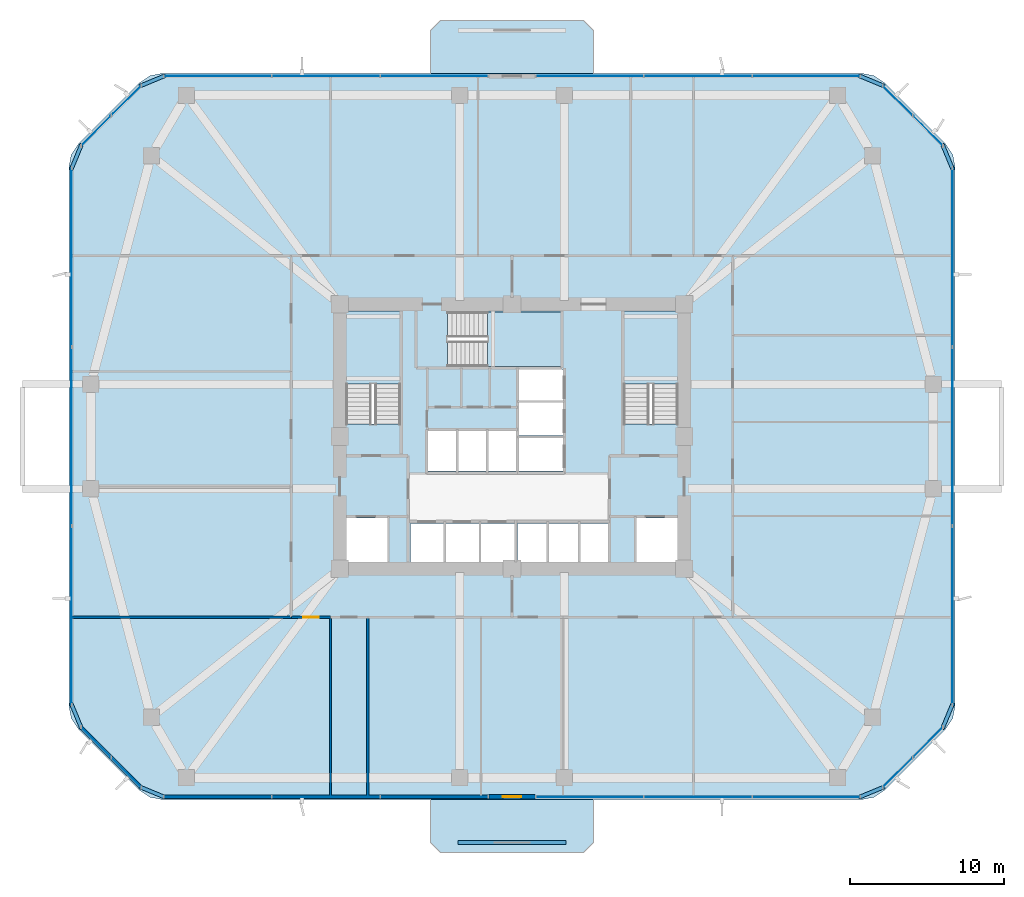
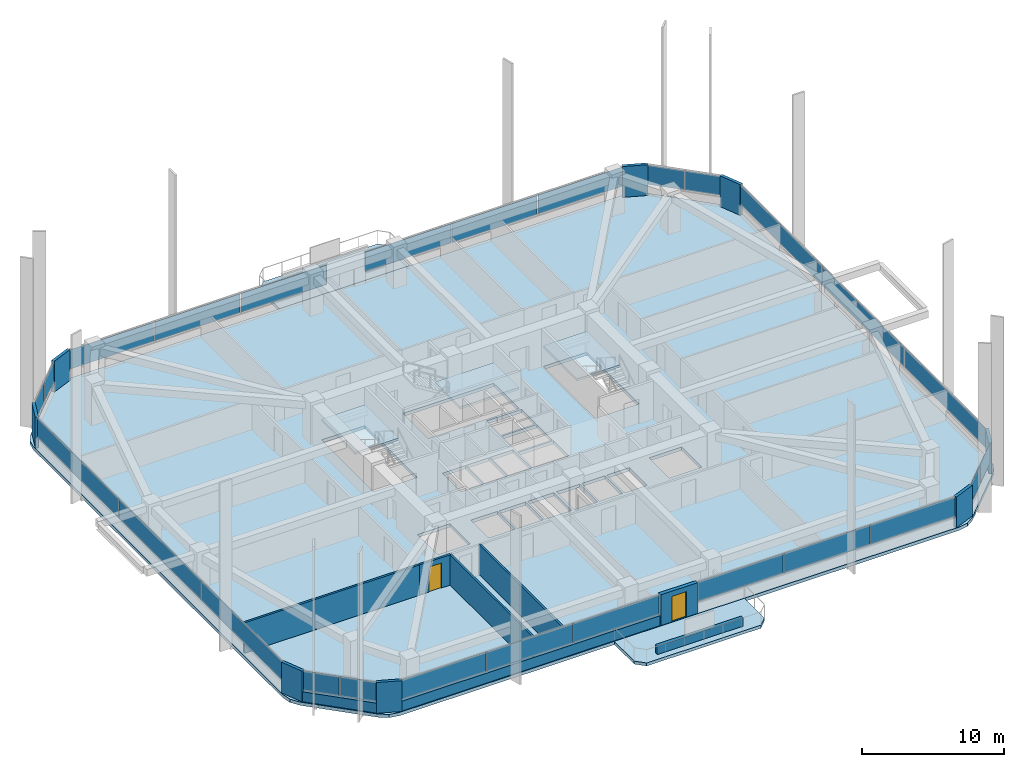
# One storey, part 8 of 17: 34 plates, 8 walls, 6 slabs, 2 doors, 2 openings, 13 elements without a shape of their own.
"""IFC4 building model written with IfcOpenShell, lengths in metres."""

from ifc_helpers import new_model, si_unit, derived_unit, direction, frame, frame_2d, origin, origin_2d, place, context, subcontext, project, spatial, polyline, rectangle, outline, extrude, material, layer, layer_set, type_object, element, fill, aggregate, save


model = new_model("IFC4")

# Units and contexts
model_context = context("Model", 3, precision=1e-05, world=origin(), true_north=direction((0.0, 1.0)))
body_context = subcontext(model_context, "Body", "Model", "MODEL_VIEW")
ifc_project = project(units=[si_unit("LENGTHUNIT", "METRE"), si_unit("AREAUNIT", "SQUARE_METRE"), si_unit("VOLUMEUNIT", "CUBIC_METRE"), si_unit("PLANEANGLEUNIT", "RADIAN"), si_unit("MASSUNIT", "GRAM", prefix="KILO"), derived_unit("THERMALTRANSMITTANCEUNIT", [(si_unit("POWERUNIT", "WATT"), 1), (si_unit("LENGTHUNIT", "METRE"), -2), (si_unit("THERMODYNAMICTEMPERATUREUNIT", "KELVIN"), -1)])], contexts=[model_context])

# Site, building, storey
site_placement = place(None, origin())
site = spatial("IfcSite", under=ifc_project, at=site_placement, CompositionType="ELEMENT")
building_placement = place(site_placement, origin())
building = spatial("IfcBuilding", under=site, at=building_placement, Name="Koralith Skygarden Medical Center", CompositionType="ELEMENT")
storey_placement = place(building_placement, frame((0.0, 0.0, 23.93994140625)))
storey = spatial("IfcBuildingStorey", under=building, at=storey_placement, Name="L05", CompositionType="ELEMENT", Elevation=23.93994140625)

# Curtain wall, plates
ifc_material_1 = material(Name="Clear Laminated Glass", Category="glass")
curtain_wall_type = type_object("IfcCurtainWallType", Name="CW-2 Zone 1 Hurricane Unitised Curtain Wall", PredefinedType="NOTDEFINED", material=ifc_material_1)
curtain_wall_1_placement = place(storey_placement, origin())
curtain_wall_1 = element("IfcCurtainWall", 1, at=curtain_wall_1_placement, inside=storey, type_object=curtain_wall_type, Name="Curtain Wall CW-L05-S-L", PredefinedType="NOTDEFINED")
ifc_layer_1 = layer(ifc_material_1, 0.031982421875)
ifc_layer_set_1 = layer_set([ifc_layer_1], Name="Clear Laminated Glass")
plate_type_1 = type_object("IfcPlateType", Name="CW-2 Hurricane Laminated IGU Panel 32", PredefinedType="CURTAIN_PANEL", material=ifc_layer_set_1)
plate_1_placement = place(storey_placement, frame((17.873046875, 2.47998046875, 0.919921875), z_axis=(0.0, 0.0, 1.0), x_axis=(1.0, 0.0, 0.0)))
plate_1 = element("IfcPlate", 2, at=plate_1_placement, type_object=plate_type_1, Name="CW-L05-S-L Glazed Panel 1", PredefinedType="CURTAIN_PANEL", context=body_context, shape_type="SweptSolid", body=[
    extrude(rectangle(XDim=6.945068359375, YDim=0.031982421875, at=origin_2d()), origin(), (0.0, 0.0, 1.0), 1.659912109375),
])
plate_2_placement = place(storey_placement, frame((24.906982421875, 2.47998046875, 0.919921875), z_axis=(0.0, 0.0, 1.0), x_axis=(1.0, 0.0, 0.0)))
plate_2 = element("IfcPlate", 3, at=plate_2_placement, type_object=plate_type_1, Name="CW-L05-S-L Glazed Panel 2", PredefinedType="CURTAIN_PANEL", context=body_context, shape_type="SweptSolid", body=[
    extrude(rectangle(XDim=6.945068359375, YDim=0.031982421875, at=origin_2d()), origin(), (0.0, 0.0, 1.0), 1.659912109375),
])
plate_3_placement = place(storey_placement, frame((31.94189453125, 2.47998046875, 0.919921875), z_axis=(0.0, 0.0, 1.0), x_axis=(1.0, 0.0, 0.0)))
plate_3 = element("IfcPlate", 4, at=plate_3_placement, type_object=plate_type_1, Name="CW-L05-S-L Glazed Panel 3", PredefinedType="CURTAIN_PANEL", context=body_context, shape_type="SweptSolid", body=[
    extrude(rectangle(XDim=6.945068359375, YDim=0.031982421875, at=origin_2d()), origin(), (0.0, 0.0, 1.0), 1.659912109375),
])
aggregate(curtain_wall_1, [plate_1, plate_2, plate_3])

curtain_wall_2_placement = place(storey_placement, origin())
curtain_wall_2 = element("IfcCurtainWall", 5, at=curtain_wall_2_placement, inside=storey, type_object=curtain_wall_type, Name="Curtain Wall CW-L05-S-R", PredefinedType="NOTDEFINED")
plate_4_placement = place(storey_placement, frame((42.056884765625, 2.47998046875, 0.919921875), z_axis=(0.0, 0.0, 1.0), x_axis=(1.0, 0.0, 0.0)))
plate_4 = element("IfcPlate", 6, at=plate_4_placement, type_object=plate_type_1, Name="CW-L05-S-R Glazed Panel 1", PredefinedType="CURTAIN_PANEL", context=body_context, shape_type="SweptSolid", body=[
    extrude(rectangle(XDim=6.945068359375, YDim=0.031982421875, at=origin_2d()), origin(), (0.0, 0.0, 1.0), 1.659912109375),
])
plate_5_placement = place(storey_placement, frame((49.093017578125, 2.47998046875, 0.919921875), z_axis=(0.0, 0.0, 1.0), x_axis=(1.0, 0.0, 0.0)))
plate_5 = element("IfcPlate", 7, at=plate_5_placement, type_object=plate_type_1, Name="CW-L05-S-R Glazed Panel 2", PredefinedType="CURTAIN_PANEL", context=body_context, shape_type="SweptSolid", body=[
    extrude(rectangle(XDim=6.945068359375, YDim=0.031982421875, at=origin_2d()), origin(), (0.0, 0.0, 1.0), 1.659912109375),
])
plate_6_placement = place(storey_placement, frame((56.126953125, 2.47998046875, 0.919921875), z_axis=(0.0, 0.0, 1.0), x_axis=(1.0, 0.0, 0.0)))
plate_6 = element("IfcPlate", 8, at=plate_6_placement, type_object=plate_type_1, Name="CW-L05-S-R Glazed Panel 3", PredefinedType="CURTAIN_PANEL", context=body_context, shape_type="SweptSolid", body=[
    extrude(rectangle(XDim=6.945068359375, YDim=0.031982421875, at=origin_2d()), origin(), (0.0, 0.0, 1.0), 1.659912109375),
])
aggregate(curtain_wall_2, [plate_4, plate_5, plate_6])

curtain_wall_3_placement = place(storey_placement, origin())
curtain_wall_3 = element("IfcCurtainWall", 9, at=curtain_wall_3_placement, inside=storey, type_object=curtain_wall_type, Name="Curtain Wall CW-L05-SE", PredefinedType="NOTDEFINED")
plate_7_placement = place(storey_placement, frame((62.076904296875, 4.06201171875, 0.919921875), z_axis=(0.0, 0.0, 1.0), x_axis=(0.707106781187, 0.707106781187, 0.0)))
plate_7 = element("IfcPlate", 10, at=plate_7_placement, type_object=plate_type_1, Name="CW-L05-SE Glazed Panel 1", PredefinedType="CURTAIN_PANEL", context=body_context, shape_type="SweptSolid", body=[
    extrude(rectangle(XDim=2.68408203125, YDim=0.031982421875, at=origin_2d()), origin(), (0.0, 0.0, 1.0), 1.659912109375),
])
plate_8_placement = place(storey_placement, frame((64.0380859375, 6.02294921875, 0.919921875), z_axis=(0.0, 0.0, 1.0), x_axis=(0.707106781187, 0.707106781187, 0.0)))
plate_8 = element("IfcPlate", 11, at=plate_8_placement, type_object=plate_type_1, Name="CW-L05-SE Glazed Panel 2", PredefinedType="CURTAIN_PANEL", context=body_context, shape_type="SweptSolid", body=[
    extrude(rectangle(XDim=2.68408203125, YDim=0.031982421875, at=origin_2d()), origin(), (0.0, 0.0, 1.0), 1.659912109375),
])
aggregate(curtain_wall_3, [plate_7, plate_8])

curtain_wall_4_placement = place(storey_placement, origin())
curtain_wall_4 = element("IfcCurtainWall", 12, at=curtain_wall_4_placement, inside=storey, type_object=curtain_wall_type, Name="Curtain Wall CW-L05-E", PredefinedType="NOTDEFINED")
plate_9_placement = place(storey_placement, frame((65.6201171875, 14.27001953125, 0.919921875), z_axis=(0.0, 0.0, 1.0), x_axis=(0.0, 1.0, 0.0)))
plate_9 = element("IfcPlate", 13, at=plate_9_placement, type_object=plate_type_1, Name="CW-L05-E Glazed Panel 1", PredefinedType="CURTAIN_PANEL", context=body_context, shape_type="SweptSolid", body=[
    extrude(rectangle(XDim=11.5400390625, YDim=0.031982421875, at=origin_2d()), origin(), (0.0, 0.0, 1.0), 1.659912109375),
])
plate_10_placement = place(storey_placement, frame((65.6201171875, 25.89990234375, 0.919921875), z_axis=(0.0, 0.0, 1.0), x_axis=(0.0, 1.0, 0.0)))
plate_10 = element("IfcPlate", 14, at=plate_10_placement, type_object=plate_type_1, Name="CW-L05-E Glazed Panel 2", PredefinedType="CURTAIN_PANEL", context=body_context, shape_type="SweptSolid", body=[
    extrude(rectangle(XDim=11.5400390625, YDim=0.031982421875, at=origin_2d()), origin(), (0.0, 0.0, 1.0), 1.659912109375),
])
plate_11_placement = place(storey_placement, frame((65.6201171875, 37.530029296875, 0.919921875), z_axis=(0.0, 0.0, 1.0), x_axis=(0.0, 1.0, 0.0)))
plate_11 = element("IfcPlate", 15, at=plate_11_placement, type_object=plate_type_1, Name="CW-L05-E Glazed Panel 3", PredefinedType="CURTAIN_PANEL", context=body_context, shape_type="SweptSolid", body=[
    extrude(rectangle(XDim=11.5400390625, YDim=0.031982421875, at=origin_2d()), origin(), (0.0, 0.0, 1.0), 1.659912109375),
])
aggregate(curtain_wall_4, [plate_9, plate_10, plate_11])

curtain_wall_5_placement = place(storey_placement, origin())
curtain_wall_5 = element("IfcCurtainWall", 16, at=curtain_wall_5_placement, inside=storey, type_object=curtain_wall_type, Name="Curtain Wall CW-L05-NE", PredefinedType="NOTDEFINED")
plate_12_placement = place(storey_placement, frame((64.0380859375, 45.777099609375, 0.919921875), z_axis=(0.0, 0.0, 1.0), x_axis=(-0.707106781187, 0.707106781187, 0.0)))
plate_12 = element("IfcPlate", 17, at=plate_12_placement, type_object=plate_type_1, Name="CW-L05-NE Glazed Panel 1", PredefinedType="CURTAIN_PANEL", context=body_context, shape_type="SweptSolid", body=[
    extrude(rectangle(XDim=2.68408203125, YDim=0.031982421875, at=origin_2d()), origin(), (0.0, 0.0, 1.0), 1.659912109375),
])
plate_13_placement = place(storey_placement, frame((62.076904296875, 47.738037109375, 0.919921875), z_axis=(0.0, 0.0, 1.0), x_axis=(-0.707106781187, 0.707106781187, 0.0)))
plate_13 = element("IfcPlate", 18, at=plate_13_placement, type_object=plate_type_1, Name="CW-L05-NE Glazed Panel 2", PredefinedType="CURTAIN_PANEL", context=body_context, shape_type="SweptSolid", body=[
    extrude(rectangle(XDim=2.68408203125, YDim=0.031982421875, at=origin_2d()), origin(), (0.0, 0.0, 1.0), 1.659912109375),
])
aggregate(curtain_wall_5, [plate_12, plate_13])

curtain_wall_6_placement = place(storey_placement, origin())
curtain_wall_6 = element("IfcCurtainWall", 19, at=curtain_wall_6_placement, inside=storey, type_object=curtain_wall_type, Name="Curtain Wall CW-L05-N-L", PredefinedType="NOTDEFINED")
plate_14_placement = place(storey_placement, frame((56.1279296875, 49.320068359375, 0.919921875), z_axis=(0.0, 0.0, 1.0), x_axis=(-1.0, 0.0, 0.0)))
plate_14 = element("IfcPlate", 20, at=plate_14_placement, type_object=plate_type_1, Name="CW-L05-N-L Glazed Panel 1", PredefinedType="CURTAIN_PANEL", context=body_context, shape_type="SweptSolid", body=[
    extrude(rectangle(XDim=6.945068359375, YDim=0.031982421875, at=origin_2d()), origin(), (0.0, 0.0, 1.0), 1.659912109375),
])
plate_15_placement = place(storey_placement, frame((49.093017578125, 49.320068359375, 0.919921875), z_axis=(0.0, 0.0, 1.0), x_axis=(-1.0, 0.0, 0.0)))
plate_15 = element("IfcPlate", 21, at=plate_15_placement, type_object=plate_type_1, Name="CW-L05-N-L Glazed Panel 2", PredefinedType="CURTAIN_PANEL", context=body_context, shape_type="SweptSolid", body=[
    extrude(rectangle(XDim=6.945068359375, YDim=0.031982421875, at=origin_2d()), origin(), (0.0, 0.0, 1.0), 1.659912109375),
])
plate_16_placement = place(storey_placement, frame((42.05810546875, 49.320068359375, 0.919921875), z_axis=(0.0, 0.0, 1.0), x_axis=(-1.0, 0.0, 0.0)))
plate_16 = element("IfcPlate", 22, at=plate_16_placement, type_object=plate_type_1, Name="CW-L05-N-L Glazed Panel 3", PredefinedType="CURTAIN_PANEL", context=body_context, shape_type="SweptSolid", body=[
    extrude(rectangle(XDim=6.945068359375, YDim=0.031982421875, at=origin_2d()), origin(), (0.0, 0.0, 1.0), 1.659912109375),
])
aggregate(curtain_wall_6, [plate_14, plate_15, plate_16])

curtain_wall_7_placement = place(storey_placement, origin())
curtain_wall_7 = element("IfcCurtainWall", 23, at=curtain_wall_7_placement, inside=storey, type_object=curtain_wall_type, Name="Curtain Wall CW-L05-N-R", PredefinedType="NOTDEFINED")
plate_17_placement = place(storey_placement, frame((31.943115234375, 49.320068359375, 0.919921875), z_axis=(0.0, 0.0, 1.0), x_axis=(-1.0, 0.0, 0.0)))
plate_17 = element("IfcPlate", 24, at=plate_17_placement, type_object=plate_type_1, Name="CW-L05-N-R Glazed Panel 1", PredefinedType="CURTAIN_PANEL", context=body_context, shape_type="SweptSolid", body=[
    extrude(rectangle(XDim=6.945068359375, YDim=0.031982421875, at=origin_2d()), origin(), (0.0, 0.0, 1.0), 1.659912109375),
])
plate_18_placement = place(storey_placement, frame((24.906982421875, 49.320068359375, 0.919921875), z_axis=(0.0, 0.0, 1.0), x_axis=(-1.0, 0.0, 0.0)))
plate_18 = element("IfcPlate", 25, at=plate_18_placement, type_object=plate_type_1, Name="CW-L05-N-R Glazed Panel 2", PredefinedType="CURTAIN_PANEL", context=body_context, shape_type="SweptSolid", body=[
    extrude(rectangle(XDim=6.945068359375, YDim=0.031982421875, at=origin_2d()), origin(), (0.0, 0.0, 1.0), 1.659912109375),
])
plate_19_placement = place(storey_placement, frame((17.873046875, 49.320068359375, 0.919921875), z_axis=(0.0, 0.0, 1.0), x_axis=(-1.0, 0.0, 0.0)))
plate_19 = element("IfcPlate", 26, at=plate_19_placement, type_object=plate_type_1, Name="CW-L05-N-R Glazed Panel 3", PredefinedType="CURTAIN_PANEL", context=body_context, shape_type="SweptSolid", body=[
    extrude(rectangle(XDim=6.945068359375, YDim=0.031982421875, at=origin_2d()), origin(), (0.0, 0.0, 1.0), 1.659912109375),
])
aggregate(curtain_wall_7, [plate_17, plate_18, plate_19])

curtain_wall_8_placement = place(storey_placement, origin())
curtain_wall_8 = element("IfcCurtainWall", 27, at=curtain_wall_8_placement, inside=storey, type_object=curtain_wall_type, Name="Curtain Wall CW-L05-NW", PredefinedType="NOTDEFINED")
plate_20_placement = place(storey_placement, frame((11.923095703125, 47.738037109375, 0.919921875), z_axis=(0.0, 0.0, 1.0), x_axis=(-0.707106781187, -0.707106781187, 0.0)))
plate_20 = element("IfcPlate", 28, at=plate_20_placement, type_object=plate_type_1, Name="CW-L05-NW Glazed Panel 1", PredefinedType="CURTAIN_PANEL", context=body_context, shape_type="SweptSolid", body=[
    extrude(rectangle(XDim=2.68408203125, YDim=0.031982421875, at=origin_2d()), origin(), (0.0, 0.0, 1.0), 1.659912109375),
])
plate_21_placement = place(storey_placement, frame((9.9619140625, 45.777099609375, 0.919921875), z_axis=(0.0, 0.0, 1.0), x_axis=(-0.707106781187, -0.707106781187, 0.0)))
plate_21 = element("IfcPlate", 29, at=plate_21_placement, type_object=plate_type_1, Name="CW-L05-NW Glazed Panel 2", PredefinedType="CURTAIN_PANEL", context=body_context, shape_type="SweptSolid", body=[
    extrude(rectangle(XDim=2.68408203125, YDim=0.031982421875, at=origin_2d()), origin(), (0.0, 0.0, 1.0), 1.659912109375),
])
aggregate(curtain_wall_8, [plate_20, plate_21])

curtain_wall_9_placement = place(storey_placement, origin())
curtain_wall_9 = element("IfcCurtainWall", 30, at=curtain_wall_9_placement, inside=storey, type_object=curtain_wall_type, Name="Curtain Wall CW-L05-W", PredefinedType="NOTDEFINED")
plate_22_placement = place(storey_placement, frame((8.3798828125, 37.530029296875, 0.919921875), z_axis=(0.0, 0.0, 1.0), x_axis=(0.0, -1.0, 0.0)))
plate_22 = element("IfcPlate", 31, at=plate_22_placement, type_object=plate_type_1, Name="CW-L05-W Glazed Panel 1", PredefinedType="CURTAIN_PANEL", context=body_context, shape_type="SweptSolid", body=[
    extrude(rectangle(XDim=11.5400390625, YDim=0.031982421875, at=origin_2d()), origin(), (0.0, 0.0, 1.0), 1.659912109375),
])
plate_23_placement = place(storey_placement, frame((8.3798828125, 25.89990234375, 0.919921875), z_axis=(0.0, 0.0, 1.0), x_axis=(0.0, -1.0, 0.0)))
plate_23 = element("IfcPlate", 32, at=plate_23_placement, type_object=plate_type_1, Name="CW-L05-W Glazed Panel 2", PredefinedType="CURTAIN_PANEL", context=body_context, shape_type="SweptSolid", body=[
    extrude(rectangle(XDim=11.5400390625, YDim=0.031982421875, at=origin_2d()), origin(), (0.0, 0.0, 1.0), 1.659912109375),
])
plate_24_placement = place(storey_placement, frame((8.3798828125, 14.27001953125, 0.919921875), z_axis=(0.0, 0.0, 1.0), x_axis=(0.0, -1.0, 0.0)))
plate_24 = element("IfcPlate", 33, at=plate_24_placement, type_object=plate_type_1, Name="CW-L05-W Glazed Panel 3", PredefinedType="CURTAIN_PANEL", context=body_context, shape_type="SweptSolid", body=[
    extrude(rectangle(XDim=11.5400390625, YDim=0.031982421875, at=origin_2d()), origin(), (0.0, 0.0, 1.0), 1.659912109375),
])
aggregate(curtain_wall_9, [plate_22, plate_23, plate_24])

curtain_wall_10_placement = place(storey_placement, origin())
curtain_wall_10 = element("IfcCurtainWall", 34, at=curtain_wall_10_placement, inside=storey, type_object=curtain_wall_type, Name="Curtain Wall CW-L05-SW", PredefinedType="NOTDEFINED")
plate_25_placement = place(storey_placement, frame((9.9619140625, 6.02294921875, 0.919921875), z_axis=(0.0, 0.0, 1.0), x_axis=(0.707106781187, -0.707106781187, 0.0)))
plate_25 = element("IfcPlate", 35, at=plate_25_placement, type_object=plate_type_1, Name="CW-L05-SW Glazed Panel 1", PredefinedType="CURTAIN_PANEL", context=body_context, shape_type="SweptSolid", body=[
    extrude(rectangle(XDim=2.68408203125, YDim=0.031982421875, at=origin_2d()), origin(), (0.0, 0.0, 1.0), 1.659912109375),
])
plate_26_placement = place(storey_placement, frame((11.923095703125, 4.06201171875, 0.919921875), z_axis=(0.0, 0.0, 1.0), x_axis=(0.707106781187, -0.707106781187, 0.0)))
plate_26 = element("IfcPlate", 36, at=plate_26_placement, type_object=plate_type_1, Name="CW-L05-SW Glazed Panel 2", PredefinedType="CURTAIN_PANEL", context=body_context, shape_type="SweptSolid", body=[
    extrude(rectangle(XDim=2.68408203125, YDim=0.031982421875, at=origin_2d()), origin(), (0.0, 0.0, 1.0), 1.659912109375),
])
aggregate(curtain_wall_10, [plate_25, plate_26])

# Slabs
ifc_material_2 = material(Name="Concrete C45/55", Category="concrete")
ifc_layer_2 = layer(ifc_material_2, 0.260009765625)
ifc_layer_set_2 = layer_set([ifc_layer_2], Name="Concrete C45/55")
slab_type_1 = type_object("IfcSlabType", Name="Cantilevered Planted Balcony Slab 260", PredefinedType="FLOOR", material=ifc_layer_set_2)
slab_1_placement = place(storey_placement, frame((0.0, 0.0, -0.260009765625)))
element("IfcSlab", 37, at=slab_1_placement, inside=storey, type_object=slab_type_1, Name="L05 N Planted Sky-Garden Balcony Slab", PredefinedType="FLOOR", context=body_context, shape_type="SweptSolid", body=[
    extrude(outline(polyline([(31.699951171875, 49.5), (42.300048828125, 49.5), (42.300048828125, 52.300048828125), (41.64990234375, 52.949951171875), (32.35009765625, 52.949951171875), (31.699951171875, 52.300048828125), (31.699951171875, 49.5)])), origin(), (0.0, 0.0, 1.0), 0.260009765625),
])
slab_2_placement = place(storey_placement, frame((0.0, 0.0, -0.260009765625)))
element("IfcSlab", 38, at=slab_2_placement, inside=storey, type_object=slab_type_1, Name="L05 S Planted Sky-Garden Balcony Slab", PredefinedType="FLOOR", context=body_context, shape_type="SweptSolid", body=[
    extrude(outline(polyline([(32.35009765625, -1.14990234375), (41.64990234375, -1.14990234375), (42.300048828125, -0.5), (42.300048828125, 2.300048828125), (31.699951171875, 2.300048828125), (31.699951171875, -0.5), (32.35009765625, -1.14990234375)])), origin(), (0.0, 0.0, 1.0), 0.260009765625),
])

# Stair, slab
stair_type = type_object("IfcStairType", Name="Core Exit Dogleg Concrete Stair", PredefinedType="HALF_TURN_STAIR", material=ifc_material_2)
stair_1_placement = place(storey_placement, origin())
stair_1 = element("IfcStair", 39, at=stair_1_placement, inside=storey, type_object=stair_type, Name="L05 Smokeproof Exit Stair ST1", PredefinedType="HALF_TURN_STAIR")
ifc_layer_3 = layer(ifc_material_2, 0.199951171875)
ifc_layer_set_3 = layer_set([ifc_layer_3], Name="Concrete C45/55")
slab_type_2 = type_object("IfcSlabType", Name="Core Exit Concrete Stair Landing 200", PredefinedType="LANDING", material=ifc_layer_set_3)
slab_3_placement = place(storey_placement, frame((0.0, 0.0, 1.60009765625)))
slab_3 = element("IfcSlab", 40, at=slab_3_placement, type_object=slab_type_2, Name="ST1 landing 1", PredefinedType="LANDING", context=body_context, shape_type="SweptSolid", body=[
    extrude(outline(polyline([(29.75, 29.31005859375), (29.75, 34.050048828125), (26.199951171875, 34.050048828125), (26.199951171875, 29.31005859375), (29.75, 29.31005859375)])), origin(), (0.0, 0.0, 1.0), 0.199951171875),
])
aggregate(stair_1, [slab_3])

stair_2_placement = place(storey_placement, origin())
stair_2 = element("IfcStair", 41, at=stair_2_placement, inside=storey, type_object=stair_type, Name="L05 Smokeproof Exit Stair ST2", PredefinedType="HALF_TURN_STAIR")
slab_4_placement = place(storey_placement, frame((0.0, 0.0, 1.60009765625)))
slab_4 = element("IfcSlab", 42, at=slab_4_placement, type_object=slab_type_2, Name="ST2 landing 1", PredefinedType="LANDING", context=body_context, shape_type="SweptSolid", body=[
    extrude(outline(polyline([(47.800048828125, 29.31005859375), (47.800048828125, 34.050048828125), (44.25, 34.050048828125), (44.25, 29.31005859375), (47.800048828125, 29.31005859375)])), origin(), (0.0, 0.0, 1.0), 0.199951171875),
])
aggregate(stair_2, [slab_4])

stair_3_placement = place(storey_placement, origin())
stair_3 = element("IfcStair", 43, at=stair_3_placement, inside=storey, type_object=stair_type, Name="L05 Smokeproof Exit Stair ST3", PredefinedType="HALF_TURN_STAIR")
slab_5_placement = place(storey_placement, frame((0.0, 0.0, 1.60009765625)))
slab_5 = element("IfcSlab", 44, at=slab_5_placement, type_object=slab_type_2, Name="ST3 landing 1", PredefinedType="LANDING", context=body_context, shape_type="SweptSolid", body=[
    extrude(outline(polyline([(35.409912109375, 30.449951171875), (40.199951171875, 30.449951171875), (40.199951171875, 34.0), (35.409912109375, 34.0), (35.409912109375, 30.449951171875)])), origin(), (0.0, 0.0, 1.0), 0.199951171875),
])
aggregate(stair_3, [slab_5])

# Slab
ifc_layer_4 = layer(ifc_material_2, 0.280029296875)
ifc_layer_set_4 = layer_set([ifc_layer_4], Name="Concrete C45/55")
slab_type_3 = type_object("IfcSlabType", Name="Post-Tensioned Ward Floor Plate 280", PredefinedType="FLOOR", material=ifc_layer_set_4)
slab_6_placement = place(storey_placement, frame((0.0, 0.0, -0.280029296875)))
element("IfcSlab", 45, at=slab_6_placement, inside=storey, type_object=slab_type_3, Name="Level L05 Structural Floor Slab", PredefinedType="FLOOR", context=body_context, shape_type="SweptSolid", body=[
    extrude(outline(polyline([(12.81396484375, 2.885986328125), (13.462890625, 2.451904296875), (14.22802734375, 2.300048828125), (59.77197265625, 2.300048828125), (60.537109375, 2.451904296875), (61.18603515625, 2.885986328125), (65.214111328125, 6.9140625), (65.64794921875, 7.56298828125), (65.800048828125, 8.327880859375), (65.800048828125, 43.471923828125), (65.64794921875, 44.237060546875), (65.214111328125, 44.885986328125), (61.18603515625, 48.9140625), (60.537109375, 49.347900390625), (59.77197265625, 49.5), (14.22802734375, 49.5), (13.462890625, 49.347900390625), (12.81396484375, 48.9140625), (8.785888671875, 44.885986328125), (8.35205078125, 44.237060546875), (8.199951171875, 43.471923828125), (8.199951171875, 8.327880859375), (8.35205078125, 7.56298828125), (8.785888671875, 6.9140625), (12.81396484375, 2.885986328125)]), holes=[polyline([(26.199951171875, 26.705078125), (29.75, 26.705078125), (29.75, 34.050048828125), (26.199951171875, 34.050048828125), (26.199951171875, 26.705078125)]), polyline([(44.25, 26.705078125), (47.800048828125, 26.705078125), (47.800048828125, 34.050048828125), (44.25, 34.050048828125), (44.25, 26.705078125)]), polyline([(32.804931640625, 30.449951171875), (40.199951171875, 30.449951171875), (40.199951171875, 34.0), (32.804931640625, 34.0), (32.804931640625, 30.449951171875)]), polyline([(26.25, 17.75), (28.89990234375, 17.75), (28.89990234375, 20.60009765625), (26.25, 20.60009765625), (26.25, 17.75)]), polyline([(45.10009765625, 17.75), (47.75, 17.75), (47.75, 20.60009765625), (45.10009765625, 20.60009765625), (45.10009765625, 17.75)]), polyline([(30.39990234375, 17.75), (32.550048828125, 17.75), (32.550048828125, 20.25), (30.39990234375, 20.25), (30.39990234375, 17.75)]), polyline([(32.699951171875, 17.75), (34.85009765625, 17.75), (34.85009765625, 20.25), (32.699951171875, 20.25), (32.699951171875, 17.75)]), polyline([(35.0, 17.75), (37.14990234375, 17.75), (37.14990234375, 20.25), (35.0, 20.25), (35.0, 17.75)]), polyline([(37.35009765625, 17.75), (39.25, 17.75), (39.25, 20.25), (37.35009765625, 20.25), (37.35009765625, 17.75)]), polyline([(39.39990234375, 17.75), (41.300048828125, 17.75), (41.300048828125, 20.25), (39.39990234375, 20.25), (39.39990234375, 17.75)]), polyline([(41.449951171875, 17.75), (43.300048828125, 17.75), (43.300048828125, 20.25), (41.449951171875, 20.25), (41.449951171875, 17.75)]), polyline([(31.550048828125, 23.64990234375), (33.39990234375, 23.64990234375), (33.39990234375, 26.25), (31.550048828125, 26.25), (31.550048828125, 23.64990234375)]), polyline([(33.5, 23.64990234375), (35.35009765625, 23.64990234375), (35.35009765625, 26.25), (33.5, 26.25), (33.5, 23.64990234375)]), polyline([(35.449951171875, 23.64990234375), (37.300048828125, 23.64990234375), (37.300048828125, 26.25), (35.449951171875, 26.25), (35.449951171875, 23.64990234375)]), polyline([(37.449951171875, 23.64990234375), (40.300048828125, 23.64990234375), (40.300048828125, 25.800048828125), (37.449951171875, 25.800048828125), (37.449951171875, 23.64990234375)]), polyline([(37.449951171875, 25.949951171875), (40.300048828125, 25.949951171875), (40.300048828125, 28.10009765625), (37.449951171875, 28.10009765625), (37.449951171875, 25.949951171875)]), polyline([(37.449951171875, 28.25), (40.300048828125, 28.25), (40.300048828125, 30.25), (37.449951171875, 30.25), (37.449951171875, 28.25)])]), origin(), (0.0, 0.0, 1.0), 0.280029296875),
])

# Plates
ifc_material_3 = material(Name="Warm Oolitic Limestone Cladding", Category="masonry")
ifc_layer_5 = layer(ifc_material_3, 0.239990234375)
ifc_layer_set_5 = layer_set([ifc_layer_5], Name="Warm Oolitic Limestone Cladding")
plate_type_2 = type_object("IfcPlateType", Name="Rounded-Corner Oolitic Limestone Cladding Panel 240", PredefinedType="USERDEFINED", material=ifc_layer_set_5)
for number, where, z_axis, x_axis, name in (
    (46, (60.3701171875, 2.780029296875, 0.0), (0.0, 0.0, 1.0), (0.92388487569, 0.382670532536, 0.0), "L05 Rounded-Corner Limestone Pier 1"),
    (47, (65.320068359375, 7.72900390625, 0.0), (0.0, 0.0, 1.0), (0.382670532536, 0.92388487569, 0.0), "L05 Rounded-Corner Limestone Pier 2"),
    (48, (65.320068359375, 44.070068359375, 0.0), (0.0, 0.0, 1.0), (-0.382670532536, 0.92388487569, 0.0), "L05 Rounded-Corner Limestone Pier 3"),
    (49, (60.3701171875, 49.02001953125, 0.0), (0.0, 0.0, 1.0), (-0.92388487569, 0.382670532536, 0.0), "L05 Rounded-Corner Limestone Pier 4"),
    (50, (13.6298828125, 49.02001953125, 0.0), (0.0, 0.0, 1.0), (-0.92388487569, -0.382670532536, 0.0), "L05 Rounded-Corner Limestone Pier 5"),
    (51, (8.680908203125, 44.070068359375, 0.0), (0.0, 0.0, 1.0), (-0.382670532536, -0.92388487569, 0.0), "L05 Rounded-Corner Limestone Pier 6"),
    (52, (8.680908203125, 7.72900390625, 0.0), (0.0, 0.0, 1.0), (0.382670532536, -0.92388487569, 0.0), "L05 Rounded-Corner Limestone Pier 7"),
    (53, (13.6298828125, 2.780029296875, 0.0), (0.0, 0.0, 1.0), (0.92388487569, -0.382670532536, 0.0), "L05 Rounded-Corner Limestone Pier 8"),
):
    element("IfcPlate", number, at=place(storey_placement, frame(where, z_axis=z_axis, x_axis=x_axis)), inside=storey, type_object=plate_type_2, Name=name, ObjectType="LIMESTONE CLADDING", PredefinedType="USERDEFINED", context=body_context, shape_type="SweptSolid", body=[
        extrude(rectangle(XDim=1.81103515625, YDim=0.239990234375, at=origin_2d()), origin(), (0.0, 0.0, 1.0), 2.64990234375),
    ])

# Walls
ifc_material_4 = material(Name="Gypsum Board Partition")
ifc_layer_6 = layer(ifc_material_4, 0.14990234375)
ifc_layer_set_6 = layer_set([ifc_layer_6], Name="Gypsum Board Partition")
wall_type_1 = type_object("IfcWallType", Name="Clinical Acoustic Partition 150", PredefinedType="PARTITIONING", material=ifc_layer_set_6)
for number, where, z_axis, x_axis, name in (
    (54, (25.199951171875, 14.14990234375, 0.0), (0.0, 0.0, 1.0), (0.0, -1.0, 0.0), "L05 Clinical Acoustic Partition 150 W-PART-L05-S-01"),
    (55, (27.623046875, 14.14990234375, 0.0), (0.0, 0.0, 1.0), (0.0, -1.0, 0.0), "L05 Clinical Acoustic Partition 150 W-PART-L05-S-02"),
):
    element("IfcWall", number, at=place(storey_placement, frame(where, z_axis=z_axis, x_axis=x_axis)), inside=storey, type_object=wall_type_1, Name=name, PredefinedType="PARTITIONING", context=body_context, shape_type="SweptSolid", body=[
        extrude(rectangle(XDim=11.64990234375, YDim=0.14990234375, at=frame_2d((5.824951171875, 0.0))), origin(), (0.0, 0.0, 1.0), 2.610107421875),
    ])
ifc_layer_7 = layer(ifc_material_4, 0.1650390625)
ifc_layer_set_7 = layer_set([ifc_layer_7], Name="Gypsum Board Partition")
wall_type_2 = type_object("IfcWallType", Name="Clinical Corridor Partition 165", PredefinedType="PARTITIONING", material=ifc_layer_set_7)
wall_1_placement = place(storey_placement, frame((8.39990234375, 14.14990234375, 0.0), z_axis=(0.0, 0.0, 1.0), x_axis=(1.0, 0.0, 0.0)))
element("IfcWall", 56, at=wall_1_placement, inside=storey, type_object=wall_type_2, Name="L05 Clinical Corridor Partition 165 W-WB-L05-SW", PredefinedType="PARTITIONING", context=body_context, shape_type="SweptSolid", body=[
    extrude(rectangle(XDim=14.25, YDim=0.1650390625, at=frame_2d((7.125, 0.0))), origin(), (0.0, 0.0, 1.0), 2.610107421875),
])

# Wall, opening, door
wall_2_placement = place(storey_placement, frame((22.64990234375, 14.14990234375, 0.0), z_axis=(0.0, 0.0, 1.0), x_axis=(1.0, 0.0, 0.0)))
wall_2 = element("IfcWall", 57, at=wall_2_placement, inside=storey, type_object=wall_type_2, Name="L05 Clinical Corridor Partition 165 W-CORR-L05-S-01", PredefinedType="PARTITIONING", context=body_context, shape_type="SweptSolid", body=[
    extrude(rectangle(XDim=2.550048828125, YDim=0.1650390625, at=frame_2d((1.27490234375, 0.0))), origin(), (0.0, 0.0, 1.0), 2.610107421875),
])
opening_1_placement = place(wall_2_placement, frame((0.77490234375, 0.0, 0.0)))
opening_1 = element("IfcOpeningElement", 58, at=opening_1_placement, cuts=wall_2, Name="Opening D-SUP", PredefinedType="OPENING", context=body_context, shape_type="SweptSolid", body=[
    extrude(rectangle(XDim=1.0, YDim=2.14990234375, at=frame_2d((0.5, 1.074951171875))), frame((0.0, 0.092529296875, 0.0), z_axis=(0.0, -1.0, 0.0), x_axis=(1.0, 0.0, 0.0)), (0.0, 0.0, 1.0), 0.18505859375),
])
ifc_material_5 = material(Name="Aluminium 6063-T6", Category="aluminium")
door_type_1 = type_object("IfcDoorType", Name="Clinical Support Door D-SUP 1000", OperationType="NOTDEFINED", PredefinedType="DOOR", material=ifc_material_5)
door_1_placement = place(opening_1_placement, frame((1.0, 0.0, 0.0), z_axis=(0.0, 0.0, 1.0), x_axis=(-1.0, 0.0, 0.0)))
door_1 = element("IfcDoor", 59, at=door_1_placement, inside=storey, type_object=door_type_1, Name="L05 Decentralized Nurse Charting Station 06 Door", OperationType="SINGLE_SWING_LEFT", OverallHeight=2.14990234375, OverallWidth=1.0, PredefinedType="DOOR", context=body_context, shape_type="SweptSolid", body=[
    extrude(rectangle(XDim=1.0, YDim=2.14990234375, at=frame_2d((0.5, 1.074951171875))), frame((0.0, 0.02490234375, 0.0), z_axis=(0.0, -1.0, 0.0), x_axis=(1.0, 0.0, 0.0)), (0.0, 0.0, 1.0), 0.050048828125),
])
fill(opening_1, door_1)

# Walls
ifc_layer_8 = layer(ifc_material_3, 0.239990234375)
ifc_layer_set_8 = layer_set([ifc_layer_8], Name="Warm Oolitic Limestone Cladding")
wall_type_3 = type_object("IfcWallType", Name="Limestone Spandrel Sill Backup Wall 240", PredefinedType="SOLIDWALL", material=ifc_layer_set_8)
wall_3_placement = place(storey_placement, frame((14.35498046875, 2.47998046875, 0.0), z_axis=(0.0, 0.0, 1.0), x_axis=(1.0, 0.0, 0.0)))
element("IfcWall", 60, at=wall_3_placement, inside=storey, type_object=wall_type_3, Name="L05 Sill Spandrel S-L", PredefinedType="SOLIDWALL", context=body_context, shape_type="SweptSolid", body=[
    extrude(rectangle(XDim=21.10498046875, YDim=0.239990234375, at=frame_2d((10.552490234375, 0.0))), origin(), (0.0, 0.0, 1.0), 0.85009765625),
])
wall_4_placement = place(storey_placement, frame((8.98095703125, 7.00390625, 0.0), z_axis=(0.0, 0.0, 1.0), x_axis=(0.707128783731, -0.707084777957, 0.0)))
element("IfcWall", 61, at=wall_4_placement, inside=storey, type_object=wall_type_3, Name="L05 Sill Spandrel SW", PredefinedType="SOLIDWALL", context=body_context, shape_type="SweptSolid", body=[
    extrude(rectangle(XDim=5.5478515625, YDim=0.239990234375, at=frame_2d((2.77392578125, 0.0))), origin(), (0.0, 0.0, 1.0), 0.85009765625),
])

# Wall, opening, door
ifc_layer_9 = layer(ifc_material_3, 0.300048828125)
ifc_layer_set_9 = layer_set([ifc_layer_9], Name="Warm Oolitic Limestone Cladding")
wall_type_4 = type_object("IfcWallType", Name="Oolitic Limestone Insulated Facade Wall 300", PredefinedType="SOLIDWALL", material=ifc_layer_set_9)
wall_5_placement = place(storey_placement, frame((35.5, 2.47998046875, 0.0), z_axis=(0.0, 0.0, 1.0), x_axis=(1.0, 0.0, 0.0)))
wall_5 = element("IfcWall", 62, at=wall_5_placement, inside=storey, type_object=wall_type_4, Name="L05 Terrace Portal Wall S", PredefinedType="SOLIDWALL", context=body_context, shape_type="SweptSolid", body=[
    extrude(rectangle(XDim=3.0, YDim=0.300048828125, at=frame_2d((1.5, 0.0))), origin(), (0.0, 0.0, 1.0), 2.650146484375),
])
opening_2_placement = place(wall_5_placement, frame((0.89990234375, 0.0, 0.0)))
opening_2 = element("IfcOpeningElement", 63, at=opening_2_placement, cuts=wall_5, Name="Opening D-BAL", PredefinedType="OPENING", context=body_context, shape_type="SweptSolid", body=[
    extrude(rectangle(XDim=1.199951171875, YDim=2.199951171875, at=frame_2d((0.60009765625, 1.10009765625))), frame((0.0, 0.159912109375, 0.0), z_axis=(0.0, -1.0, 0.0), x_axis=(1.0, 0.0, 0.0)), (0.0, 0.0, 1.0), 0.320068359375),
])
door_type_2 = type_object("IfcDoorType", Name="Planted Balcony Glazed Terrace Door D-BAL 1200", OperationType="NOTDEFINED", PredefinedType="DOOR", material=ifc_material_5)
door_2_placement = place(opening_2_placement, origin())
door_2 = element("IfcDoor", 64, at=door_2_placement, inside=storey, type_object=door_type_2, Name="L05 S Outdoor Terrace Access Door", OperationType="SINGLE_SWING_RIGHT", OverallHeight=2.199951171875, OverallWidth=1.199951171875, PredefinedType="DOOR", context=body_context, shape_type="SweptSolid", body=[
    extrude(rectangle(XDim=1.199951171875, YDim=2.199951171875, at=frame_2d((0.60009765625, 1.10009765625))), frame((0.0, 0.02490234375, 0.0), z_axis=(0.0, -1.0, 0.0), x_axis=(1.0, 0.0, 0.0)), (0.0, 0.0, 1.0), 0.050048828125),
])
fill(opening_2, door_2)

# Wall
ifc_material_6 = material(Name="Precast concrete C40/50", Category="concrete")
ifc_layer_10 = layer(ifc_material_6, 0.25)
ifc_layer_set_10 = layer_set([ifc_layer_10], Name="Precast concrete C40/50")
wall_type_5 = type_object("IfcWallType", Name="Structural Concrete Balcony Planter Kerb 250", PredefinedType="PARAPET", material=ifc_layer_set_10)
wall_6_placement = place(storey_placement, frame((33.5, -0.5, 0.0), z_axis=(0.0, 0.0, 1.0), x_axis=(1.0, 0.0, 0.0)))
element("IfcWall", 65, at=wall_6_placement, inside=storey, type_object=wall_type_5, Name="L05 S Structural Tree PLANTER Box", PredefinedType="PARAPET", context=body_context, shape_type="SweptSolid", body=[
    extrude(rectangle(XDim=7.0, YDim=0.25, at=frame_2d((3.5, 0.0))), origin(), (0.0, 0.0, 1.0), 0.719970703125),
])

save(model, "model.ifc")
